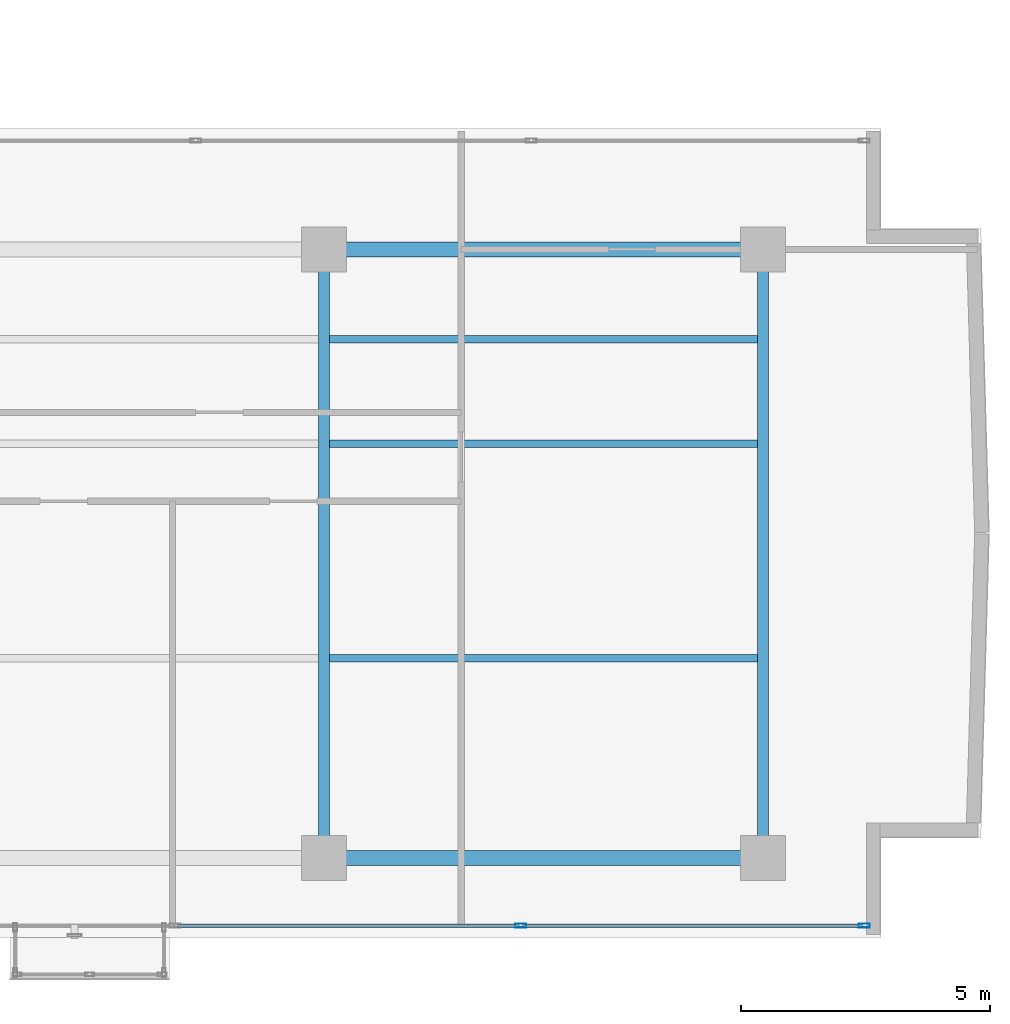
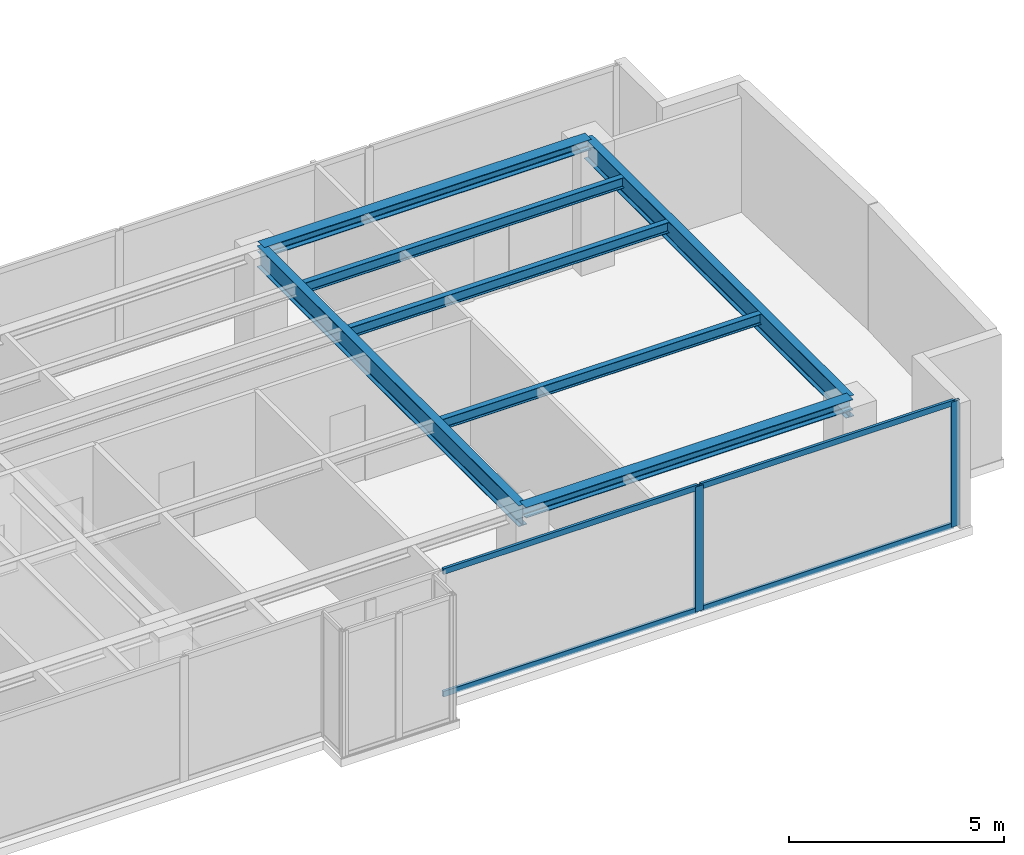
# One storey, part 11 of 22: 7 beams, 6 members, 1 element without a shape of its own.
"""IFC4 building model written with IfcOpenShell, lengths in metres."""

import ifcopenshell
import ifcopenshell.guid

model = None  # the IFC model being written
_history = None  # IfcOwnerHistory: only IFC2X3 demands one
_inside = {}  # id of a spatial element -> (the spatial element, [elements in it])
_under = {}  # id of a project, library or spatial element -> (it, [spatial elements below it])
_declared = {}  # id of a project -> (the project, [libraries it declares])
_typed = {}  # id of a type object -> (the type object, [elements of that type])
_made_of = {}  # id of a material, layer set ... -> (it, [elements and type objects made of it])


def new_model(schema):
    """Start an empty IFC model of exactly this schema.

    Asked for "IFC4X3", IfcOpenShell would pick the latest addendum, in which some entities
    have other attributes; the version numbers below select the first issue.
    IFC2X3 requires an IfcOwnerHistory on every rooted entity: one is made here for all.
    """
    global model, _history
    if schema == "IFC4X3":
        model = ifcopenshell.file(schema_version=(4, 3, 0, 0))
    else:
        model = ifcopenshell.file(schema=schema)
    _inside.clear()
    _under.clear()
    _declared.clear()
    _typed.clear()
    _made_of.clear()
    _history = None
    if model.schema == "IFC2X3":
        org = make("IfcOrganization", Name="unknown")
        user = make(
            "IfcPersonAndOrganization",
            ThePerson=make("IfcPerson", FamilyName="unknown"),
            TheOrganization=org,
        )
        app = make(
            "IfcApplication",
            ApplicationDeveloper=org,
            Version="unknown",
            ApplicationFullName="unknown",
            ApplicationIdentifier="unknown",
        )
        _history = make(
            "IfcOwnerHistory",
            OwningUser=user,
            OwningApplication=app,
            ChangeAction="ADDED",
            CreationDate=0,
        )
    return model


def make(cls, **values):
    """One entity of the class cls with the attributes given. An attribute that is None is left unset."""
    return model.create_entity(
        cls, **{name: value for name, value in values.items() if value is not None}
    )


def rooted(cls, **values):
    """An entity with a GlobalId (a new one), such as an element, a storey or a relation."""
    return make(cls, GlobalId=ifcopenshell.guid.new(), OwnerHistory=_history, **values)


def si_unit(unit_type, name, prefix=None):
    """IfcSIUnit, for example si_unit("LENGTHUNIT", "METRE", prefix="MILLI")."""
    return make("IfcSIUnit", UnitType=unit_type, Prefix=prefix, Name=name)


def assignment(units):
    """IfcUnitAssignment: the units of a project."""
    return None if units is None else make("IfcUnitAssignment", Units=units)


def point(xyz):
    """IfcCartesianPoint."""
    return None if xyz is None else make("IfcCartesianPoint", Coordinates=xyz)


def direction(xyz):
    """IfcDirection."""
    return None if xyz is None else make("IfcDirection", DirectionRatios=xyz)


def frame(location, z_axis=None, x_axis=None):
    """IfcAxis2Placement3D, a coordinate frame: its origin and axes. An axis left out is left unset."""
    return make(
        "IfcAxis2Placement3D",
        Location=point(location),
        Axis=direction(z_axis),
        RefDirection=direction(x_axis),
    )


def frame_2d(location, x_axis=None):
    """IfcAxis2Placement2D, a coordinate frame in the plane: its origin and x axis."""
    return make(
        "IfcAxis2Placement2D", Location=point(location), RefDirection=direction(x_axis)
    )


def origin():
    """The frame at (0, 0, 0) with its axes left unset."""
    return frame((0.0, 0.0, 0.0))


def origin_with_axes():
    """The frame at (0, 0, 0) with the z axis (0, 0, 1) and the x axis (1, 0, 0) written out."""
    return frame((0.0, 0.0, 0.0), z_axis=(0.0, 0.0, 1.0), x_axis=(1.0, 0.0, 0.0))


def origin_2d():
    """The frame at (0, 0) in the plane with its x axis left unset."""
    return frame_2d((0.0, 0.0))


def place(relative_to, where):
    """IfcLocalPlacement: puts the frame where relative to a parent placement (None: the world)."""
    return make(
        "IfcLocalPlacement", PlacementRelTo=relative_to, RelativePlacement=where
    )


def context(
    kind, dimensions, precision=None, world=None, true_north=None, identifier=None
):
    """IfcGeometricRepresentationContext, for example the 3D "Model" context."""
    return make(
        "IfcGeometricRepresentationContext",
        ContextIdentifier=identifier,
        ContextType=kind,
        CoordinateSpaceDimension=dimensions,
        Precision=precision,
        WorldCoordinateSystem=world,
        TrueNorth=true_north,
    )


def subcontext(parent, identifier, kind, view, scale=None):
    """IfcGeometricRepresentationSubContext, for example "Body" below "Model"."""
    return make(
        "IfcGeometricRepresentationSubContext",
        ContextIdentifier=identifier,
        ContextType=kind,
        ParentContext=parent,
        TargetScale=scale,
        TargetView=view,
    )


def project(units=None, contexts=None):
    """IfcProject with its units and contexts."""
    return rooted(
        "IfcProject",
        Name="project",
        RepresentationContexts=contexts,
        UnitsInContext=assignment(units),
    )


def spatial(cls, under=None, at=None, **own):
    """A site, building, storey or space (cls), placed at a placement, below another one or the project."""
    s = rooted(cls, ObjectPlacement=at, **own)
    if under is not None:
        _under.setdefault(under.id(), (under, []))[1].append(s)
    return s


def profile(cls, at=None, kind="AREA", **sizes):
    """A parametric profile (cls). Its sizes go by their IFC names, for example OverallWidth=200.0."""
    return make(cls, ProfileType=kind, Position=at, **sizes)


def hollow_rectangle(**sizes):
    """IfcRectangleHollowProfileDef."""
    return profile("IfcRectangleHollowProfileDef", **sizes)


def i_section(**sizes):
    """IfcIShapeProfileDef."""
    return profile("IfcIShapeProfileDef", **sizes)


def extrude(swept, where, along, depth):
    """IfcExtrudedAreaSolid: the profile swept, set in the frame where, extruded along a direction by depth."""
    return make(
        "IfcExtrudedAreaSolid",
        SweptArea=swept,
        Position=where,
        ExtrudedDirection=direction(along),
        Depth=depth,
    )


def shape(context_of_items, identifier, shape_type, items):
    """IfcShapeRepresentation: the items that make up one representation, for example the "Body"."""
    return make(
        "IfcShapeRepresentation",
        ContextOfItems=context_of_items,
        RepresentationIdentifier=identifier,
        RepresentationType=shape_type,
        Items=items,
    )


def source(mapping_origin, context_of_items, identifier, shape_type, items):
    """IfcRepresentationMap: a shape defined once, which mapped items show again and again."""
    return make(
        "IfcRepresentationMap",
        MappingOrigin=mapping_origin,
        MappedRepresentation=shape(context_of_items, identifier, shape_type, items),
    )


def transform(
    local_origin,
    x_axis=None,
    y_axis=None,
    z_axis=None,
    scale=None,
    scale2=None,
    scale3=None,
    uniform=True,
):
    """IfcCartesianTransformationOperator3D, or its non-uniform kind. x_axis, y_axis, z_axis: its Axis1, 2, 3."""
    if uniform:
        return make(
            "IfcCartesianTransformationOperator3D",
            Axis1=direction(x_axis),
            Axis2=direction(y_axis),
            LocalOrigin=point(local_origin),
            Scale=scale,
            Axis3=direction(z_axis),
        )
    return make(
        "IfcCartesianTransformationOperator3DnonUniform",
        Axis1=direction(x_axis),
        Axis2=direction(y_axis),
        LocalOrigin=point(local_origin),
        Scale=scale,
        Axis3=direction(z_axis),
        Scale2=scale2,
        Scale3=scale3,
    )


def mapped(mapping_source, mapping_target):
    """IfcMappedItem: shows the shape of a source again, moved by a transform."""
    return make(
        "IfcMappedItem", MappingSource=mapping_source, MappingTarget=mapping_target
    )


def material(Name=None, Category=None):
    """IfcMaterial."""
    return make("IfcMaterial", Name=Name, Category=Category)


def layer(
    of_material, thickness, ventilated=None, Name=None, Category=None, Priority=None
):
    """IfcMaterialLayer: one layer of a wall or slab, of a material (None: an air gap)."""
    return make(
        "IfcMaterialLayer",
        Material=of_material,
        LayerThickness=thickness,
        IsVentilated=ventilated,
        Name=Name,
        Category=Category,
        Priority=Priority,
    )


def layer_set(layers, Name=None):
    """IfcMaterialLayerSet."""
    return make("IfcMaterialLayerSet", MaterialLayers=layers, LayerSetName=Name)


def material_profile(
    of_material, cross_section, Name=None, Category=None, Priority=None
):
    """IfcMaterialProfile: a cross section and its material."""
    return make(
        "IfcMaterialProfile",
        Name=Name,
        Material=of_material,
        Profile=cross_section,
        Priority=Priority,
        Category=Category,
    )


def profile_set(profiles, Name=None, composite=None):
    """IfcMaterialProfileSet."""
    return make(
        "IfcMaterialProfileSet",
        Name=Name,
        MaterialProfiles=profiles,
        CompositeProfile=composite,
    )


def made_of(thing, what):
    """Note that an element or type object is made of a material, layer set ...; save() writes the relation."""
    if what is not None:
        _made_of.setdefault(what.id(), (what, []))[1].append(thing)
    return thing


def type_object(cls, material=None, **own):
    """A type object (cls), such as IfcWallType, which elements share."""
    return made_of(rooted(cls, **own), material)


def element(
    cls,
    number,
    at=None,
    inside=None,
    cuts=None,
    type_object=None,
    material=None,
    context=None,
    identifier="Body",
    shape_type=None,
    held_by="IfcProductDefinitionShape",
    body=None,
    shapes=None,
    **own,
):
    """One element of the class cls, such as IfcWall. Its Tag is "e" and its number.

    at: its placement. inside: the storey or other place that contains it. cuts: it is an
    opening in that element (IfcRelVoidsElement). A single representation is given by context,
    identifier, shape_type and body (its items); several are given by shapes. held_by: the class
    of the entity that holds the representations. save() writes the other relations.
    """
    e = rooted(cls, Tag="e%d" % number, ObjectPlacement=at, **own)
    if body is not None:
        shapes = [shape(context, identifier, shape_type, body)]
    if shapes is not None:
        e.Representation = make(held_by, Representations=shapes)
    if inside is not None:
        _inside.setdefault(inside.id(), (inside, []))[1].append(e)
    if cuts is not None:
        rooted(
            "IfcRelVoidsElement", RelatingBuildingElement=cuts, RelatedOpeningElement=e
        )
    if type_object is not None:
        _typed.setdefault(type_object.id(), (type_object, []))[1].append(e)
    return made_of(e, material)


def aggregate(whole, parts):
    """IfcRelAggregates: a whole, such as a stair, and the parts it consists of."""
    return rooted("IfcRelAggregates", RelatingObject=whole, RelatedObjects=parts)


def save(model, path):
    """Write the relations noted so far, then the file.

    IfcRelAggregates (storeys below a building ...), IfcRelContainedInSpatialStructure (elements
    in a storey), IfcRelDefinesByType, IfcRelAssociatesMaterial and IfcRelDeclares: one each for
    every whole, place, type object, material and project.
    """
    for whole, parts in _under.values():
        aggregate(whole, parts)
    for where, things in _inside.values():
        rooted(
            "IfcRelContainedInSpatialStructure",
            RelatedElements=things,
            RelatingStructure=where,
        )
    for kind, things in _typed.values():
        rooted("IfcRelDefinesByType", RelatedObjects=things, RelatingType=kind)
    for what, things in _made_of.values():
        rooted("IfcRelAssociatesMaterial", RelatedObjects=things, RelatingMaterial=what)
    for by, libraries in _declared.values():
        rooted("IfcRelDeclares", RelatingContext=by, RelatedDefinitions=libraries)
    model.write(path)


model = new_model("IFC4")

# Units and contexts
model_context = context("Model", 3, precision=1e-05, world=origin(), true_north=direction((0.0, 1.0)))
body_context = subcontext(model_context, "Body", "Model", "MODEL_VIEW")
ifc_project = project(units=[si_unit("LENGTHUNIT", "METRE"), si_unit("AREAUNIT", "SQUARE_METRE"), si_unit("VOLUMEUNIT", "CUBIC_METRE"), si_unit("PLANEANGLEUNIT", "RADIAN"), si_unit("MASSUNIT", "GRAM", prefix="KILO")], contexts=[model_context])

# Site, building, storey
site_placement = place(None, origin())
site = spatial("IfcSite", under=ifc_project, at=site_placement, CompositionType="ELEMENT")
building_placement = place(site_placement, origin())
building = spatial("IfcBuilding", under=site, at=building_placement, Name="Kolvaren Waterfront Exchange", CompositionType="ELEMENT")
storey_placement = place(building_placement, frame((0.0, 0.0, 327.39990234375)))
storey = spatial("IfcBuildingStorey", under=building, at=storey_placement, Name="L84", CompositionType="ELEMENT", Elevation=327.39990234375)

# Beams
ifc_material_1 = material(Name="Steel S355", Category="steel")
ifc_material_profile_1 = material_profile(ifc_material_1, i_section(OverallWidth=0.300048828125, OverallDepth=0.300048828125, WebThickness=0.010986328125, FlangeThickness=0.01904296875, FilletRadius=0.027099609375, at=origin_2d()), Name="HEB300")
ifc_profile_set_1 = profile_set([ifc_material_profile_1], Name="Steel S355")
beam_type_1 = type_object("IfcBeamType", Name="STR-BM-HEB300", PredefinedType="SPANDREL", material=ifc_profile_set_1)
for number, where, z_axis, x_axis, name in (
    (1, (36.800048828125, 5.199951171875, 3.41015625), (1.0, 0.0, 0.0), (0.0, 1.0, 0.0), "L84 east-arm spandrel S3"),
    (2, (36.800048828125, 17.39990234375, 3.41015625), (1.0, 0.0, 0.0), (0.0, 1.0, 0.0), "L84 east-arm spandrel N3"),
):
    element("IfcBeam", number, at=place(storey_placement, frame(where, z_axis=z_axis, x_axis=x_axis)), inside=storey, type_object=beam_type_1, Name=name, PredefinedType="SPANDREL", context=body_context, shape_type="SweptSolid", body=[
        extrude(i_section(OverallWidth=0.300048828125, OverallDepth=0.300048828125, WebThickness=0.010986328125, FlangeThickness=0.01904296875, FilletRadius=0.027099609375, at=origin_2d()), origin(), (0.0, 0.0, 1.0), 8.800048828125),
    ])
ifc_material_profile_2 = material_profile(ifc_material_1, i_section(OverallWidth=0.14990234375, OverallDepth=0.300048828125, WebThickness=0.007080078125, FlangeThickness=0.0107421875, FilletRadius=0.014892578125, at=origin_2d()), Name="IPE300")
ifc_profile_set_2 = profile_set([ifc_material_profile_2], Name="Steel S355")
beam_type_2 = type_object("IfcBeamType", Name="STR-BM-IPE300", PredefinedType="JOIST", material=ifc_profile_set_2)
for number, where, z_axis, x_axis, name in (
    (3, (36.912109375, 13.5, 3.41015625), (1.0, 0.0, 0.0), (0.0, 1.0, 0.0), "L84 east-arm composite joist 3A"),
    (4, (36.912109375, 15.60009765625, 3.41015625), (1.0, 0.0, 0.0), (0.0, 1.0, 0.0), "L84 east-arm composite joist 3C"),
    (5, (36.912109375, 9.199951171875, 3.41015625), (1.0, 0.0, 0.0), (0.0, 1.0, 0.0), "L84 east-arm composite joist 3B"),
):
    element("IfcBeam", number, at=place(storey_placement, frame(where, z_axis=z_axis, x_axis=x_axis)), inside=storey, type_object=beam_type_2, Name=name, PredefinedType="JOIST", context=body_context, shape_type="SweptSolid", body=[
        extrude(i_section(OverallWidth=0.14990234375, OverallDepth=0.300048828125, WebThickness=0.007080078125, FlangeThickness=0.0107421875, FilletRadius=0.014892578125, at=origin_2d()), origin(), (0.0, 0.0, 1.0), 8.575927734375),
    ])
ifc_material_profile_3 = material_profile(ifc_material_1, i_section(OverallWidth=0.219970703125, OverallDepth=0.60009765625, WebThickness=0.011962890625, FlangeThickness=0.01904296875, FilletRadius=0.02392578125, at=origin_2d()), Name="IPE600")
ifc_profile_set_3 = profile_set([ifc_material_profile_3], Name="Steel S355")
beam_type_3 = type_object("IfcBeamType", Name="STR-BM-IPE600", PredefinedType="BEAM", material=ifc_profile_set_3)
for number, where, z_axis, x_axis, name in (
    (6, (36.800048828125, 5.199951171875, 3.260009765625), (0.0, 1.0, 0.0), (-1.0, 0.0, 0.0), "L84 east-arm transverse girder X36"),
    (7, (45.60009765625, 5.199951171875, 3.260009765625), (0.0, 1.0, 0.0), (-1.0, 0.0, 0.0), "L84 east-arm transverse girder X45"),
):
    element("IfcBeam", number, at=place(storey_placement, frame(where, z_axis=z_axis, x_axis=x_axis)), inside=storey, type_object=beam_type_3, Name=name, PredefinedType="BEAM", context=body_context, shape_type="SweptSolid", body=[
        extrude(i_section(OverallWidth=0.219970703125, OverallDepth=0.60009765625, WebThickness=0.011962890625, FlangeThickness=0.01904296875, FilletRadius=0.02392578125, at=origin_2d()), origin(), (0.0, 0.0, 1.0), 12.199951171875),
    ])

# Curtain wall, members
ifc_material_2 = material(Name="Anodised bronze aluminium 6063-T6", Category="aluminium")
ifc_layer = layer(ifc_material_2, 0.219970703125, Name="Anodised bronze aluminium 6063-T6")
ifc_layer_set = layer_set([ifc_layer], Name="Anodised bronze aluminium 6063-T6")
curtain_wall_type = type_object("IfcCurtainWallType", Name="ARC-CW-SYS1", PredefinedType="USERDEFINED", material=ifc_layer_set)
curtain_wall_placement = place(storey_placement, origin())
curtain_wall = element("IfcCurtainWall", 8, at=curtain_wall_placement, inside=storey, type_object=curtain_wall_type, Name="L84 stick curtain wall CW1 (CW-L84-S)", ObjectType="STICK CURTAIN WALL", PredefinedType="USERDEFINED")
ifc_material_3 = material(Name="Anodised aluminium 6063-T6", Category="aluminium")
ifc_material_profile_4 = material_profile(ifc_material_3, hollow_rectangle(XDim=0.080078125, YDim=0.219970703125, WallThickness=0.0048828125, at=origin_2d()), Name="ALU-MUL-220x80x5")
ifc_profile_set_4 = profile_set([ifc_material_profile_4], Name="Anodised aluminium 6063-T6")
member_type_1 = type_object("IfcMemberType", Name="ARC-CWM-220", PredefinedType="MULLION", material=ifc_profile_set_4)
shared_shape_1 = source(origin_with_axes(), body_context, "Body", "SweptSolid", [
    extrude(hollow_rectangle(XDim=0.080078125, YDim=0.219970703125, WallThickness=0.0048828125, at=origin_2d()), origin(), (0.0, 0.0, 1.0), 3.56005859375),
])
member_1_placement = place(storey_placement, frame((40.74462890625, 3.840087890625, 0.0), z_axis=(0.0, 0.0, 1.0), x_axis=(0.0, 1.0, 0.0)))
member_1 = element("IfcMember", 9, at=member_1_placement, type_object=member_type_1, Name="CW1 mullion 6", PredefinedType="MULLION", context=body_context, shape_type="MappedRepresentation", body=[
    mapped(shared_shape_1, transform((0.0, 0.0, 0.0), x_axis=(1.0, 0.0, 0.0), y_axis=(0.0, 1.0, 0.0), z_axis=(0.0, 0.0, 1.0), scale=1.0)),
])
member_2_placement = place(storey_placement, frame((47.6337890625, 3.840087890625, 0.0), z_axis=(0.0, 0.0, 1.0), x_axis=(0.0, 1.0, 0.0)))
member_2 = element("IfcMember", 10, at=member_2_placement, type_object=member_type_1, Name="CW1 mullion 7", PredefinedType="MULLION", context=body_context, shape_type="MappedRepresentation", body=[
    mapped(shared_shape_1, transform((0.0, 0.0, 0.0), x_axis=(1.0, 0.0, 0.0), y_axis=(0.0, 1.0, 0.0), z_axis=(0.0, 0.0, 1.0), scale=1.0)),
])
ifc_material_profile_5 = material_profile(ifc_material_3, hollow_rectangle(XDim=0.074951171875, YDim=0.159912109375, WallThickness=0.00439453125, at=origin_2d()), Name="ALU-TRN-160x75x4.5")
ifc_profile_set_5 = profile_set([ifc_material_profile_5], Name="Anodised aluminium 6063-T6")
member_type_2 = type_object("IfcMemberType", Name="ARC-CWT-160", PredefinedType="USERDEFINED", material=ifc_profile_set_5)
shared_shape_2 = source(origin_with_axes(), body_context, "Body", "SweptSolid", [
    extrude(hollow_rectangle(XDim=0.074951171875, YDim=0.159912109375, WallThickness=0.00439453125, at=origin_2d()), origin(), (0.0, 0.0, 1.0), 6.80908203125),
])
member_3_placement = place(storey_placement, frame((40.78466796875, 3.840087890625, 0.03759765625), z_axis=(1.0, 0.0, 0.0), x_axis=(0.0, 1.0, 0.0)))
member_3 = element("IfcMember", 11, at=member_3_placement, type_object=member_type_2, Name="CW1 transom 6.1", ObjectType="TRANSOM", PredefinedType="USERDEFINED", context=body_context, shape_type="MappedRepresentation", body=[
    mapped(shared_shape_2, transform((0.0, 0.0, 0.0), x_axis=(1.0, 0.0, 0.0), y_axis=(0.0, 1.0, 0.0), z_axis=(0.0, 0.0, 1.0), scale=1.0)),
])
member_4_placement = place(storey_placement, frame((40.78466796875, 3.840087890625, 3.522705078125), z_axis=(1.0, 0.0, 0.0), x_axis=(0.0, 1.0, 0.0)))
member_4 = element("IfcMember", 12, at=member_4_placement, type_object=member_type_2, Name="CW1 transom 6.2", ObjectType="TRANSOM", PredefinedType="USERDEFINED", context=body_context, shape_type="MappedRepresentation", body=[
    mapped(shared_shape_2, transform((0.0, 0.0, 0.0), x_axis=(1.0, 0.0, 0.0), y_axis=(0.0, 1.0, 0.0), z_axis=(0.0, 0.0, 1.0), scale=1.0)),
])
shared_shape_3 = source(origin_with_axes(), body_context, "Body", "SweptSolid", [
    extrude(hollow_rectangle(XDim=0.074951171875, YDim=0.159912109375, WallThickness=0.00439453125, at=origin_2d()), origin(), (0.0, 0.0, 1.0), 6.84912109375),
])
member_5_placement = place(storey_placement, frame((33.855712890625, 3.840087890625, 0.03759765625), z_axis=(1.0, 0.0, 0.0), x_axis=(0.0, 1.0, 0.0)))
member_5 = element("IfcMember", 13, at=member_5_placement, type_object=member_type_2, Name="CW1 transom 5.1", ObjectType="TRANSOM", PredefinedType="USERDEFINED", context=body_context, shape_type="MappedRepresentation", body=[
    mapped(shared_shape_3, transform((0.0, 0.0, 0.0), x_axis=(1.0, 0.0, 0.0), y_axis=(0.0, 1.0, 0.0), z_axis=(0.0, 0.0, 1.0), scale=1.0)),
])
member_6_placement = place(storey_placement, frame((33.855712890625, 3.840087890625, 3.522705078125), z_axis=(1.0, 0.0, 0.0), x_axis=(0.0, 1.0, 0.0)))
member_6 = element("IfcMember", 14, at=member_6_placement, type_object=member_type_2, Name="CW1 transom 5.2", ObjectType="TRANSOM", PredefinedType="USERDEFINED", context=body_context, shape_type="MappedRepresentation", body=[
    mapped(shared_shape_3, transform((0.0, 0.0, 0.0), x_axis=(1.0, 0.0, 0.0), y_axis=(0.0, 1.0, 0.0), z_axis=(0.0, 0.0, 1.0), scale=1.0)),
])
aggregate(curtain_wall, [member_1, member_2, member_5, member_6, member_3, member_4])

save(model, "model.ifc")
